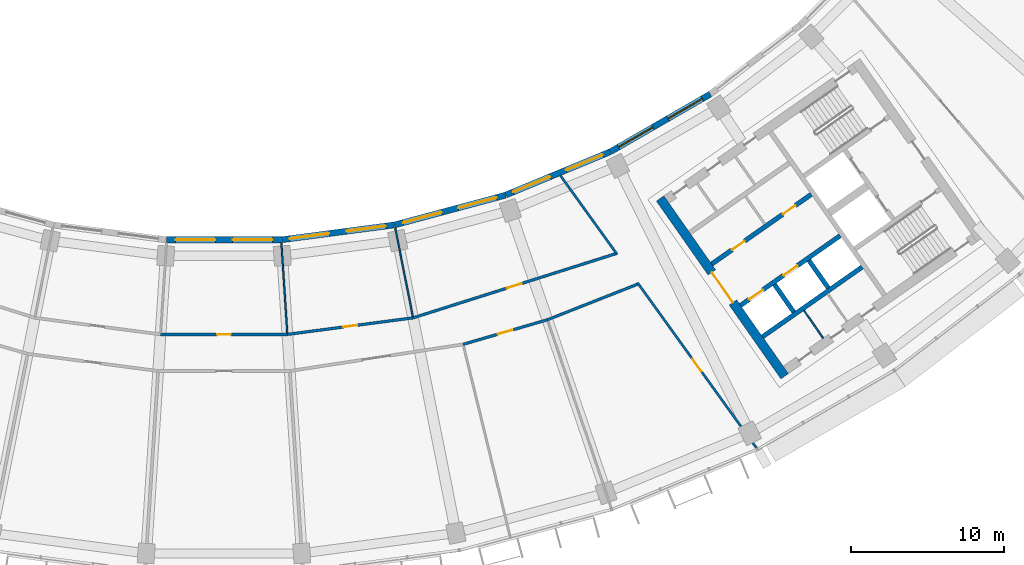
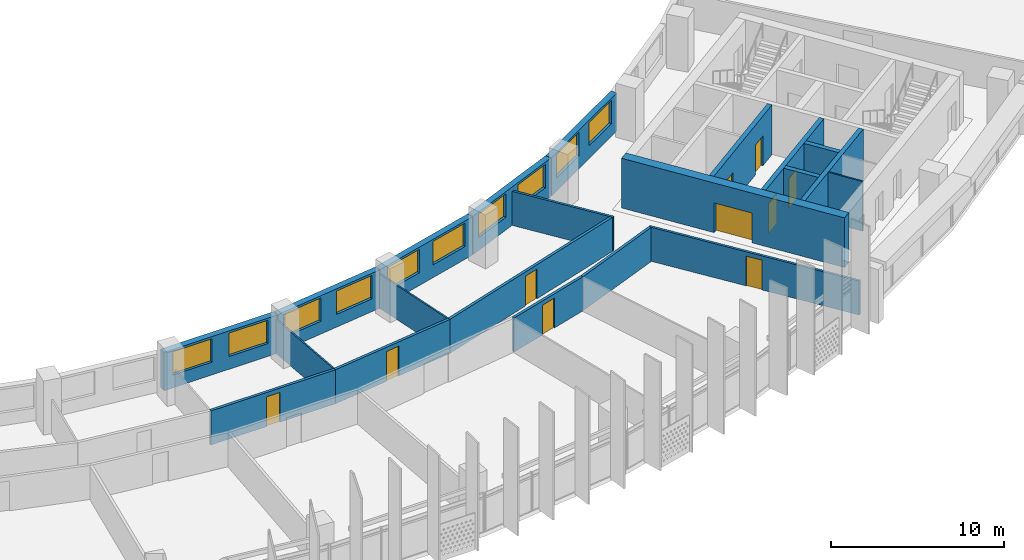
# One storey, part 6 of 27: 21 walls, 10 doors, 10 windows, 20 openings.
"""IFC4 building model written with IfcOpenShell, lengths in metres."""

from ifc_helpers import new_model, si_unit, direction, frame, frame_2d, origin, place, context, subcontext, project, spatial, rectangle, extrude, material, layer, layer_set, type_object, element, fill, save


model = new_model("IFC4")

# Units and contexts
model_context = context("Model", 3, precision=1e-05, world=origin(), true_north=direction((0.0, 1.0)))
body_context = subcontext(model_context, "Body", "Model", "MODEL_VIEW")
ifc_project = project(units=[si_unit("LENGTHUNIT", "METRE"), si_unit("AREAUNIT", "SQUARE_METRE"), si_unit("VOLUMEUNIT", "CUBIC_METRE"), si_unit("PLANEANGLEUNIT", "RADIAN"), si_unit("MASSUNIT", "GRAM", prefix="KILO")], contexts=[model_context])

# Site, building, storey
site_placement = place(None, origin())
site = spatial("IfcSite", under=ifc_project, at=site_placement, CompositionType="ELEMENT")
building_placement = place(site_placement, origin())
building = spatial("IfcBuilding", under=site, at=building_placement, Name="Qamariyya Broadcast Tower", CompositionType="ELEMENT")
storey_placement = place(building_placement, frame((0.0, 0.0, 164.5)))
storey = spatial("IfcBuildingStorey", under=building, at=storey_placement, Name="L38", CompositionType="ELEMENT", Elevation=164.5)

# Wall, opening, door
ifc_material_1 = material(Name="Concrete C60/75", Category="concrete")
ifc_layer_1 = layer(ifc_material_1, 0.60009765625)
ifc_layer_set_1 = layer_set([ifc_layer_1], Name="Core wall 600 mm Concrete C60/75")
wall_type_1 = type_object("IfcWallType", Name="Core wall 600 mm Concrete C60/75", PredefinedType="SHEAR", material=ifc_layer_set_1)
wall_1_placement = place(storey_placement, frame((36.66748046875, -66.005126953125, 0.0), z_axis=(0.0, 0.0, 1.0), x_axis=(-0.573568499524, 0.819157601658, 0.0)))
wall_1 = element("IfcWall", 1, at=wall_1_placement, inside=storey, type_object=wall_type_1, Name="k-E-L38-WA", PredefinedType="SHEAR", context=body_context, shape_type="SweptSolid", body=[
    extrude(rectangle(XDim=14.19970703125, YDim=0.60009765625, at=frame_2d((7.099853515625, 0.0))), origin(), (0.0, 0.0, 1.0), 3.5),
])
opening_1_placement = place(wall_1_placement, frame((5.89990234375, 0.0, 0.0)))
opening_1 = element("IfcOpeningElement", 2, at=opening_1_placement, cuts=wall_1, Name="Opening KD3-E1", PredefinedType="OPENING", context=body_context, shape_type="SweptSolid", body=[
    extrude(rectangle(XDim=2.39990234375, YDim=2.10009765625, at=frame_2d((1.199951171875, 1.050048828125))), frame((0.0, 0.31005859375, 0.0), z_axis=(0.0, -1.0, 0.0), x_axis=(1.0, 0.0, 0.0)), (0.0, 0.0, 1.0), 0.6201171875),
])
ifc_material_2 = material(Name="Steel fire-resisting door leaf", Category="steel")
door_type_1 = type_object("IfcDoorType", Name="Lift lobby door KD3", OperationType="DOUBLE_DOOR_SINGLE_SWING", PredefinedType="DOOR", material=ifc_material_2)
door_1_placement = place(opening_1_placement, origin())
door_1 = element("IfcDoor", 3, at=door_1_placement, inside=storey, type_object=door_type_1, Name="k-E-L38-WA-D1", OperationType="DOUBLE_DOOR_SINGLE_SWING", OverallHeight=2.10009765625, OverallWidth=2.39990234375, PredefinedType="DOOR", context=body_context, shape_type="SweptSolid", body=[
    extrude(rectangle(XDim=2.39990234375, YDim=2.10009765625, at=frame_2d((1.199951171875, 1.050048828125))), frame((0.0, 0.02490234375, 0.0), z_axis=(0.0, -1.0, 0.0), x_axis=(1.0, 0.0, 0.0)), (0.0, 0.0, 1.0), 0.050048828125),
])
fill(opening_1, door_1)

# Wall
ifc_material_3 = material(Name="Gypsum board partition")
ifc_layer_2 = layer(ifc_material_3, 0.14990234375)
ifc_layer_set_2 = layer_set([ifc_layer_2], Name="Corridor partition 150 EI 60")
wall_type_2 = type_object("IfcWallType", Name="Corridor partition 150 EI 60", PredefinedType="PARTITIONING", material=ifc_layer_set_2)
wall_2_placement = place(storey_placement, frame((22.0, -52.873046875, 0.0), z_axis=(0.0, 0.0, 1.0), x_axis=(0.584145217468, -0.811649163684, 0.0)))
element("IfcWall", 4, at=wall_2_placement, inside=storey, type_object=wall_type_2, Name="Partition L38-025", PredefinedType="PARTITIONING", context=body_context, shape_type="SweptSolid", body=[
    extrude(rectangle(XDim=6.37109375, YDim=0.14990234375, at=frame_2d((3.185546875, 0.0))), origin(), (0.0, 0.0, 1.0), 2.39990234375),
])

# Wall, opening, door
wall_3_placement = place(storey_placement, frame((34.823974609375, -70.690673828125, 0.0), z_axis=(0.0, 0.0, 1.0), x_axis=(-0.584166530414, 0.811633824298, 0.0)))
wall_3 = element("IfcWall", 5, at=wall_3_placement, inside=storey, type_object=wall_type_2, Name="Partition L38-027", PredefinedType="PARTITIONING", context=body_context, shape_type="SweptSolid", body=[
    extrude(rectangle(XDim=13.31103515625, YDim=0.14990234375, at=frame_2d((6.655517578125, 0.0))), origin(), (0.0, 0.0, 1.0), 2.39990234375),
])
opening_2_placement = place(wall_3_placement, frame((6.155517578125, 0.0, 0.0)))
opening_2 = element("IfcOpeningElement", 6, at=opening_2_placement, cuts=wall_3, Name="Opening L38-D07", PredefinedType="OPENING", context=body_context, shape_type="SweptSolid", body=[
    extrude(rectangle(XDim=1.0, YDim=2.10009765625, at=frame_2d((0.5, 1.050048828125))), frame((0.0, 0.0849609375, 0.0), z_axis=(0.0, -1.0, 0.0), x_axis=(1.0, 0.0, 0.0)), (0.0, 0.0, 1.0), 0.169921875),
])
ifc_material_4 = material(Name="Timber fire door leaf", Category="wood")
door_type_2 = type_object("IfcDoorType", Name="Fire door 1000 x 2100 FD60", OperationType="NOTDEFINED", PredefinedType="DOOR", material=ifc_material_4)
door_2_placement = place(opening_2_placement, origin())
door_2 = element("IfcDoor", 7, at=door_2_placement, inside=storey, type_object=door_type_2, Name="Door L38-D07", OperationType="SINGLE_SWING_RIGHT", OverallHeight=2.10009765625, OverallWidth=1.0, PredefinedType="DOOR", context=body_context, shape_type="SweptSolid", body=[
    extrude(rectangle(XDim=1.0, YDim=2.10009765625, at=frame_2d((0.5, 1.050048828125))), frame((0.0, 0.02490234375, 0.0), z_axis=(0.0, -1.0, 0.0), x_axis=(1.0, 0.0, 0.0)), (0.0, 0.0, 1.0), 0.050048828125),
])
fill(opening_2, door_2)

# Wall, openings, doors
ifc_layer_3 = layer(ifc_material_1, 0.300048828125)
ifc_layer_set_3 = layer_set([ifc_layer_3], Name="Lift shaft wall 300 mm Concrete C60/75")
wall_type_3 = type_object("IfcWallType", Name="Lift shaft wall 300 mm Concrete C60/75", PredefinedType="SOLIDWALL", material=ifc_layer_set_3)
wall_4_placement = place(storey_placement, frame((31.89453125, -58.66552734375, 0.0), z_axis=(0.0, 0.0, 1.0), x_axis=(0.819166993208, 0.573555086491, 0.0)))
wall_4 = element("IfcWall", 8, at=wall_4_placement, inside=storey, type_object=wall_type_3, Name="k-E-L38-NF0", PredefinedType="SOLIDWALL", context=body_context, shape_type="SweptSolid", body=[
    extrude(rectangle(XDim=7.9501953125, YDim=0.300048828125, at=frame_2d((3.97509765625, 0.0))), origin(), (0.0, 0.0, 1.0), 3.5),
])
opening_3_placement = place(wall_4_placement, frame((1.637451171875, 0.0, 0.0)))
opening_3 = element("IfcOpeningElement", 9, at=opening_3_placement, cuts=wall_4, Name="Opening KD6-E1", PredefinedType="OPENING", context=body_context, shape_type="SweptSolid", body=[
    extrude(rectangle(XDim=1.0, YDim=2.10009765625, at=frame_2d((0.5, 1.050048828125))), frame((0.0, 0.159912109375, 0.0), z_axis=(0.0, -1.0, 0.0), x_axis=(1.0, 0.0, 0.0)), (0.0, 0.0, 1.0), 0.320068359375),
])
opening_4_placement = place(wall_4_placement, frame((5.6875, 0.0, 0.0)))
opening_4 = element("IfcOpeningElement", 10, at=opening_4_placement, cuts=wall_4, Name="Opening KD6-E2", PredefinedType="OPENING", context=body_context, shape_type="SweptSolid", body=[
    extrude(rectangle(XDim=1.0, YDim=2.10009765625, at=frame_2d((0.5, 1.050048828125))), frame((0.0, 0.159912109375, 0.0), z_axis=(0.0, -1.0, 0.0), x_axis=(1.0, 0.0, 0.0)), (0.0, 0.0, 1.0), 0.320068359375),
])
door_type_3 = type_object("IfcDoorType", Name="Core room door KD6", OperationType="SINGLE_SWING_LEFT", PredefinedType="DOOR", material=ifc_material_2)
door_3_placement = place(opening_3_placement, origin())
door_3 = element("IfcDoor", 11, at=door_3_placement, inside=storey, type_object=door_type_3, Name="k-E-L38-NF0-D2", OperationType="SINGLE_SWING_RIGHT", OverallHeight=2.10009765625, OverallWidth=1.0, PredefinedType="DOOR", context=body_context, shape_type="SweptSolid", body=[
    extrude(rectangle(XDim=1.0, YDim=2.10009765625, at=frame_2d((0.5, 1.050048828125))), frame((0.0, 0.02490234375, 0.0), z_axis=(0.0, -1.0, 0.0), x_axis=(1.0, 0.0, 0.0)), (0.0, 0.0, 1.0), 0.050048828125),
])
fill(opening_3, door_3)
door_4_placement = place(opening_4_placement, origin())
door_4 = element("IfcDoor", 12, at=door_4_placement, inside=storey, type_object=door_type_3, Name="k-E-L38-NF0-D3", OperationType="SINGLE_SWING_LEFT", OverallHeight=2.10009765625, OverallWidth=1.0, PredefinedType="DOOR", context=body_context, shape_type="SweptSolid", body=[
    extrude(rectangle(XDim=1.0, YDim=2.10009765625, at=frame_2d((0.5, 1.050048828125))), frame((0.0, 0.02490234375, 0.0), z_axis=(0.0, -1.0, 0.0), x_axis=(1.0, 0.0, 0.0)), (0.0, 0.0, 1.0), 0.050048828125),
])
fill(opening_4, door_4)

wall_5_placement = place(storey_placement, frame((33.787353515625, -61.368896484375, 0.0), z_axis=(0.0, 0.0, 1.0), x_axis=(0.819152564888, 0.573575692858, 0.0)))
wall_5 = element("IfcWall", 13, at=wall_5_placement, inside=storey, type_object=wall_type_3, Name="k-E-L38-SF0", PredefinedType="SOLIDWALL", context=body_context, shape_type="SweptSolid", body=[
    extrude(rectangle(XDim=7.9501953125, YDim=0.300048828125, at=frame_2d((3.97509765625, 0.0))), origin(), (0.0, 0.0, 1.0), 3.5),
])
opening_5_placement = place(wall_5_placement, frame((0.675048828125, 0.0, 0.0)))
opening_5 = element("IfcOpeningElement", 14, at=opening_5_placement, cuts=wall_5, Name="Opening LD", PredefinedType="OPENING", context=body_context, shape_type="SweptSolid", body=[
    extrude(rectangle(XDim=1.10009765625, YDim=2.10009765625, at=frame_2d((0.550048828125, 1.050048828125))), frame((0.0, 0.159912109375, 0.0), z_axis=(0.0, -1.0, 0.0), x_axis=(1.0, 0.0, 0.0)), (0.0, 0.0, 1.0), 0.320068359375),
])
opening_6_placement = place(wall_5_placement, frame((3.425048828125, 0.0, 0.0)))
opening_6 = element("IfcOpeningElement", 15, at=opening_6_placement, cuts=wall_5, Name="Opening LD", PredefinedType="OPENING", context=body_context, shape_type="SweptSolid", body=[
    extrude(rectangle(XDim=1.10009765625, YDim=2.10009765625, at=frame_2d((0.550048828125, 1.050048828125))), frame((0.0, 0.159912109375, 0.0), z_axis=(0.0, -1.0, 0.0), x_axis=(1.0, 0.0, 0.0)), (0.0, 0.0, 1.0), 0.320068359375),
])
door_type_4 = type_object("IfcDoorType", Name="Lift landing door LD", OperationType="DOUBLE_DOOR_SLIDING", PredefinedType="DOOR", material=ifc_material_2)
door_5_placement = place(opening_5_placement, origin())
door_5 = element("IfcDoor", 16, at=door_5_placement, inside=storey, type_object=door_type_4, Name="k-E-L38-SF0-D4", OperationType="DOUBLE_DOOR_SLIDING", OverallHeight=2.10009765625, OverallWidth=1.10009765625, PredefinedType="DOOR", context=body_context, shape_type="SweptSolid", body=[
    extrude(rectangle(XDim=1.10009765625, YDim=2.10009765625, at=frame_2d((0.550048828125, 1.050048828125))), frame((0.0, 0.02490234375, 0.0), z_axis=(0.0, -1.0, 0.0), x_axis=(1.0, 0.0, 0.0)), (0.0, 0.0, 1.0), 0.050048828125),
])
fill(opening_5, door_5)
door_6_placement = place(opening_6_placement, origin())
door_6 = element("IfcDoor", 17, at=door_6_placement, inside=storey, type_object=door_type_4, Name="k-E-L38-SF0-D5", OperationType="DOUBLE_DOOR_SLIDING", OverallHeight=2.10009765625, OverallWidth=1.10009765625, PredefinedType="DOOR", context=body_context, shape_type="SweptSolid", body=[
    extrude(rectangle(XDim=1.10009765625, YDim=2.10009765625, at=frame_2d((0.550048828125, 1.050048828125))), frame((0.0, 0.02490234375, 0.0), z_axis=(0.0, -1.0, 0.0), x_axis=(1.0, 0.0, 0.0)), (0.0, 0.0, 1.0), 0.050048828125),
])
fill(opening_6, door_6)

# Walls
wall_6_placement = place(storey_placement, frame((35.22119140625, -63.41650390625, 0.0), z_axis=(0.0, 0.0, 1.0), x_axis=(0.819166993208, 0.573555086491, 0.0)))
element("IfcWall", 18, at=wall_6_placement, inside=storey, type_object=wall_type_3, Name="k-E-L38-SB0", PredefinedType="SOLIDWALL", context=body_context, shape_type="SweptSolid", body=[
    extrude(rectangle(XDim=7.9501953125, YDim=0.300048828125, at=frame_2d((3.97509765625, 0.0))), origin(), (0.0, 0.0, 1.0), 3.5),
])
wall_7_placement = place(storey_placement, frame((36.003173828125, -60.000244140625, 0.0), z_axis=(0.0, 0.0, 1.0), x_axis=(0.573581496053, -0.819148501424, 0.0)))
element("IfcWall", 19, at=wall_7_placement, inside=storey, type_object=wall_type_3, Name="k-E-L38-SD0", PredefinedType="SOLIDWALL", context=body_context, shape_type="SweptSolid", body=[
    extrude(rectangle(XDim=2.2001953125, YDim=0.300048828125, at=frame_2d((1.10009765625, 0.0))), origin(), (0.0, 0.0, 1.0), 3.5),
])
wall_8_placement = place(storey_placement, frame((38.255859375, -58.423095703125, 0.0), z_axis=(0.0, 0.0, 1.0), x_axis=(0.573633636671, -0.819111989218, 0.0)))
element("IfcWall", 20, at=wall_8_placement, inside=storey, type_object=wall_type_3, Name="k-E-L38-SD1", PredefinedType="SOLIDWALL", context=body_context, shape_type="SweptSolid", body=[
    extrude(rectangle(XDim=2.199951171875, YDim=0.300048828125, at=frame_2d((1.10009765625, 0.0))), origin(), (0.0, 0.0, 1.0), 3.5),
])
ifc_layer_4 = layer(ifc_material_3, 0.10009765625)
ifc_layer_set_4 = layer_set([ifc_layer_4], Name="Partition 100")
wall_type_4 = type_object("IfcWallType", Name="Partition 100", PredefinedType="PARTITIONING", material=ifc_layer_set_4)
wall_9_placement = place(storey_placement, frame((3.754150390625, -57.277099609375, 0.0), z_axis=(0.0, 0.0, 1.0), x_axis=(0.065392110393, -0.99785964539, 0.0)))
element("IfcWall", 21, at=wall_9_placement, inside=storey, type_object=wall_type_4, Name="Partition L38-016", PredefinedType="PARTITIONING", context=body_context, shape_type="SweptSolid", body=[
    extrude(rectangle(XDim=5.91015625, YDim=0.10009765625, at=frame_2d((2.955078125, 0.0))), origin(), (0.0, 0.0, 1.0), 2.39990234375),
])
wall_10_placement = place(storey_placement, frame((11.1982421875, -56.297119140625, 0.0), z_axis=(0.0, 0.0, 1.0), x_axis=(0.195067376167, -0.980789844337, 0.0)))
element("IfcWall", 22, at=wall_10_placement, inside=storey, type_object=wall_type_4, Name="Partition L38-020", PredefinedType="PARTITIONING", context=body_context, shape_type="SweptSolid", body=[
    extrude(rectangle(XDim=5.909912109375, YDim=0.10009765625, at=frame_2d((2.955078125, 0.0))), origin(), (0.0, 0.0, 1.0), 2.39990234375),
])
ifc_material_5 = material(Name="Fire-rated gypsum shaft liner on steel studs", Category="steel")
ifc_layer_5 = layer(ifc_material_5, 0.10009765625)
ifc_layer_set_5 = layer_set([ifc_layer_5], Name="Riser wall 100 mm")
wall_type_5 = type_object("IfcWallType", Name="Riser wall 100 mm", PredefinedType="PLUMBINGWALL", material=ifc_layer_set_5)
wall_11_placement = place(storey_placement, frame((37.9287109375, -61.7041015625, 0.0), z_axis=(0.0, 0.0, 1.0), x_axis=(0.573559170999, -0.819164133348, 0.0)))
element("IfcWall", 23, at=wall_11_placement, inside=storey, type_object=wall_type_5, Name="k-E-L38-SP320", PredefinedType="PLUMBINGWALL", context=body_context, shape_type="SweptSolid", body=[
    extrude(rectangle(XDim=2.19970703125, YDim=0.10009765625, at=frame_2d((1.099853515625, 0.0))), origin(), (0.0, 0.0, 1.0), 3.5),
])

# Wall, opening, door
ifc_layer_6 = layer(ifc_material_3, 0.179931640625)
ifc_layer_set_6 = layer_set([ifc_layer_6], Name="Studio acoustic partition 180 EI 60")
wall_type_6 = type_object("IfcWallType", Name="Studio acoustic partition 180 EI 60", PredefinedType="PARTITIONING", material=ifc_layer_set_6)
wall_12_placement = place(storey_placement, frame((-4.146484375, -63.26416015625, 0.0), z_axis=(0.0, 0.0, 1.0), x_axis=(1.0, 0.0, 0.0)))
wall_12 = element("IfcWall", 24, at=wall_12_placement, inside=storey, type_object=wall_type_6, Name="Partition L38-014", PredefinedType="PARTITIONING", context=body_context, shape_type="SweptSolid", body=[
    extrude(rectangle(XDim=8.29296875, YDim=0.179931640625, at=frame_2d((4.146484375, 0.0))), origin(), (0.0, 0.0, 1.0), 2.39990234375),
])
opening_7_placement = place(wall_12_placement, frame((3.696533203125, 0.0, 0.0)))
opening_7 = element("IfcOpeningElement", 25, at=opening_7_placement, cuts=wall_12, Name="Opening L38-D10", PredefinedType="OPENING", context=body_context, shape_type="SweptSolid", body=[
    extrude(rectangle(XDim=0.89990234375, YDim=2.10009765625, at=frame_2d((0.449951171875, 1.050048828125))), frame((0.0, 0.099853515625, 0.0), z_axis=(0.0, -1.0, 0.0), x_axis=(1.0, 0.0, 0.0)), (0.0, 0.0, 1.0), 0.199951171875),
])
door_type_5 = type_object("IfcDoorType", Name="Fire door 900 x 2100 FD60", OperationType="NOTDEFINED", PredefinedType="DOOR", material=ifc_material_4)
door_7_placement = place(opening_7_placement, origin())
door_7 = element("IfcDoor", 26, at=door_7_placement, inside=storey, type_object=door_type_5, Name="Door L38-D10", OperationType="SINGLE_SWING_RIGHT", OverallHeight=2.10009765625, OverallWidth=0.89990234375, PredefinedType="DOOR", context=body_context, shape_type="SweptSolid", body=[
    extrude(rectangle(XDim=0.89990234375, YDim=2.10009765625, at=frame_2d((0.449951171875, 1.050048828125))), frame((0.0, 0.02490234375, 0.0), z_axis=(0.0, -1.0, 0.0), x_axis=(1.0, 0.0, 0.0)), (0.0, 0.0, 1.0), 0.050048828125),
])
fill(opening_7, door_7)

wall_13_placement = place(storey_placement, frame((4.146484375, -63.26416015625, 0.0), z_axis=(0.0, 0.0, 1.0), x_axis=(0.991447881484, 0.130503250152, 0.0)))
wall_13 = element("IfcWall", 27, at=wall_13_placement, inside=storey, type_object=wall_type_6, Name="Partition L38-017", PredefinedType="PARTITIONING", context=body_context, shape_type="SweptSolid", body=[
    extrude(rectangle(XDim=8.293212890625, YDim=0.179931640625, at=frame_2d((4.146484375, 0.0))), origin(), (0.0, 0.0, 1.0), 2.39990234375),
])
opening_8_placement = place(wall_13_placement, frame((3.696533203125, 0.0, 0.0)))
opening_8 = element("IfcOpeningElement", 28, at=opening_8_placement, cuts=wall_13, Name="Opening L38-D11", PredefinedType="OPENING", context=body_context, shape_type="SweptSolid", body=[
    extrude(rectangle(XDim=0.89990234375, YDim=2.10009765625, at=frame_2d((0.449951171875, 1.050048828125))), frame((0.0, 0.099853515625, 0.0), z_axis=(0.0, -1.0, 0.0), x_axis=(1.0, 0.0, 0.0)), (0.0, 0.0, 1.0), 0.199951171875),
])
door_8_placement = place(opening_8_placement, origin())
door_8 = element("IfcDoor", 29, at=door_8_placement, inside=storey, type_object=door_type_5, Name="Door L38-D11", OperationType="SINGLE_SWING_RIGHT", OverallHeight=2.10009765625, OverallWidth=0.89990234375, PredefinedType="DOOR", context=body_context, shape_type="SweptSolid", body=[
    extrude(rectangle(XDim=0.89990234375, YDim=2.10009765625, at=frame_2d((0.449951171875, 1.050048828125))), frame((0.0, 0.02490234375, 0.0), z_axis=(0.0, -1.0, 0.0), x_axis=(1.0, 0.0, 0.0)), (0.0, 0.0, 1.0), 0.050048828125),
])
fill(opening_8, door_8)

wall_14_placement = place(storey_placement, frame((12.36865234375, -62.181884765625, 0.0), z_axis=(0.0, 0.0, 1.0), x_axis=(0.953361971867, 0.301829340187, 0.0)))
wall_14 = element("IfcWall", 30, at=wall_14_placement, inside=storey, type_object=wall_type_6, Name="Partition L38-021", PredefinedType="PARTITIONING", context=body_context, shape_type="SweptSolid", body=[
    extrude(rectangle(XDim=13.876220703125, YDim=0.179931640625, at=frame_2d((6.93798828125, 0.0))), origin(), (0.0, 0.0, 1.0), 2.39990234375),
])
opening_9_placement = place(wall_14_placement, frame((6.43798828125, 0.0, 0.0)))
opening_9 = element("IfcOpeningElement", 31, at=opening_9_placement, cuts=wall_14, Name="Opening L38-D12", PredefinedType="OPENING", context=body_context, shape_type="SweptSolid", body=[
    extrude(rectangle(XDim=1.0, YDim=2.10009765625, at=frame_2d((0.5, 1.050048828125))), frame((0.0, 0.099853515625, 0.0), z_axis=(0.0, -1.0, 0.0), x_axis=(1.0, 0.0, 0.0)), (0.0, 0.0, 1.0), 0.199951171875),
])
door_9_placement = place(opening_9_placement, origin())
door_9 = element("IfcDoor", 32, at=door_9_placement, inside=storey, type_object=door_type_2, Name="Door L38-D12", OperationType="SINGLE_SWING_RIGHT", OverallHeight=2.10009765625, OverallWidth=1.0, PredefinedType="DOOR", context=body_context, shape_type="SweptSolid", body=[
    extrude(rectangle(XDim=1.0, YDim=2.10009765625, at=frame_2d((0.5, 1.050048828125))), frame((0.0, 0.02490234375, 0.0), z_axis=(0.0, -1.0, 0.0), x_axis=(1.0, 0.0, 0.0)), (0.0, 0.0, 1.0), 0.050048828125),
])
fill(opening_9, door_9)

wall_15_placement = place(storey_placement, frame((21.150634765625, -62.30810546875, 0.0), z_axis=(0.0, 0.0, 1.0), x_axis=(-0.960055220634, -0.279810602612, 0.0)))
wall_15 = element("IfcWall", 33, at=wall_15_placement, inside=storey, type_object=wall_type_6, Name="Partition L38-022", PredefinedType="PARTITIONING", context=body_context, shape_type="SweptSolid", body=[
    extrude(rectangle(XDim=5.741943359375, YDim=0.179931640625, at=frame_2d((2.87109375, 0.0))), origin(), (0.0, 0.0, 1.0), 2.39990234375),
])
opening_10_placement = place(wall_15_placement, frame((2.37109375, 0.0, 0.0)))
opening_10 = element("IfcOpeningElement", 34, at=opening_10_placement, cuts=wall_15, Name="Opening L38-D06", PredefinedType="OPENING", context=body_context, shape_type="SweptSolid", body=[
    extrude(rectangle(XDim=1.0, YDim=2.10009765625, at=frame_2d((0.5, 1.050048828125))), frame((0.0, 0.099853515625, 0.0), z_axis=(0.0, -1.0, 0.0), x_axis=(1.0, 0.0, 0.0)), (0.0, 0.0, 1.0), 0.199951171875),
])
door_10_placement = place(opening_10_placement, origin())
door_10 = element("IfcDoor", 35, at=door_10_placement, inside=storey, type_object=door_type_2, Name="Door L38-D06", OperationType="SINGLE_SWING_RIGHT", OverallHeight=2.10009765625, OverallWidth=1.0, PredefinedType="DOOR", context=body_context, shape_type="SweptSolid", body=[
    extrude(rectangle(XDim=1.0, YDim=2.10009765625, at=frame_2d((0.5, 1.050048828125))), frame((0.0, 0.02490234375, 0.0), z_axis=(0.0, -1.0, 0.0), x_axis=(1.0, 0.0, 0.0)), (0.0, 0.0, 1.0), 0.050048828125),
])
fill(opening_10, door_10)

# Wall
wall_16_placement = place(storey_placement, frame((21.150634765625, -62.30810546875, 0.0), z_axis=(0.0, 0.0, 1.0), x_axis=(0.930189926157, 0.367078603675, 0.0)))
element("IfcWall", 36, at=wall_16_placement, inside=storey, type_object=wall_type_6, Name="Partition L38-024", PredefinedType="PARTITIONING", context=body_context, shape_type="SweptSolid", body=[
    extrude(rectangle(XDim=6.32177734375, YDim=0.179931640625, at=frame_2d((3.160888671875, 0.0))), origin(), (0.0, 0.0, 1.0), 2.39990234375),
])

# Wall, openings, windows
ifc_material_6 = material(Name="Terracotta", Category="masonry")
ifc_layer_7 = layer(ifc_material_6, 0.39990234375)
ifc_layer_set_7 = layer_set([ifc_layer_7], Name="Terracotta clad wall 400")
wall_type_7 = type_object("IfcWallType", Name="Terracotta clad wall 400", PredefinedType="SOLIDWALL", material=ifc_layer_set_7)
wall_17_placement = place(storey_placement, frame((25.252197265625, -51.32080078125, 0.0), z_axis=(0.0, 0.0, 1.0), x_axis=(-0.923867659443, -0.382712095229, 0.0)))
wall_17 = element("IfcWall", 37, at=wall_17_placement, inside=storey, type_object=wall_type_7, Name="e-wl-L38-in100", PredefinedType="SOLIDWALL", context=body_context, shape_type="SweptSolid", body=[
    extrude(rectangle(XDim=7.380859375, YDim=0.39990234375, at=frame_2d((3.6904296875, 0.0))), origin(), (0.0, 0.0, 1.0), 2.699951171875),
])
opening_11_placement = place(wall_17_placement, frame((4.25439453125, 0.0, 0.89990234375)))
opening_11 = element("IfcOpeningElement", 38, at=opening_11_placement, cuts=wall_17, Name="Opening W1", PredefinedType="OPENING", context=body_context, shape_type="SweptSolid", body=[
    extrude(rectangle(XDim=2.60009765625, YDim=1.64990234375, at=frame_2d((1.300048828125, 0.824951171875))), frame((0.0, 0.2099609375, 0.0), z_axis=(0.0, -1.0, 0.0), x_axis=(1.0, 0.0, 0.0)), (0.0, 0.0, 1.0), 0.419921875),
])
opening_12_placement = place(wall_17_placement, frame((0.5263671875, 0.0, 0.89990234375)))
opening_12 = element("IfcOpeningElement", 39, at=opening_12_placement, cuts=wall_17, Name="Opening W1", PredefinedType="OPENING", context=body_context, shape_type="SweptSolid", body=[
    extrude(rectangle(XDim=2.60009765625, YDim=1.64990234375, at=frame_2d((1.300048828125, 0.824951171875))), frame((0.0, 0.2099609375, 0.0), z_axis=(0.0, -1.0, 0.0), x_axis=(1.0, 0.0, 0.0)), (0.0, 0.0, 1.0), 0.419921875),
])
ifc_material_7 = material(Name="Clear low-e double glazed unit in aluminium frame", Category="aluminium")
window_type = type_object("IfcWindowType", Name="Ribbon window 2600 x 1650", PartitioningType="SINGLE_PANEL", PredefinedType="WINDOW", material=ifc_material_7)
window_1_placement = place(opening_11_placement, origin())
window_1 = element("IfcWindow", 40, at=window_1_placement, inside=storey, type_object=window_type, Name="e-w-L38-in10-0", OverallHeight=1.64990234375, OverallWidth=2.60009765625, PartitioningType="SINGLE_PANEL", PredefinedType="WINDOW", context=body_context, shape_type="SweptSolid", body=[
    extrude(rectangle(XDim=2.60009765625, YDim=1.64990234375, at=frame_2d((1.300048828125, 0.824951171875))), frame((0.0, 0.030029296875, 0.0), z_axis=(0.0, -1.0, 0.0), x_axis=(1.0, 0.0, 0.0)), (0.0, 0.0, 1.0), 0.06005859375),
])
fill(opening_11, window_1)
window_2_placement = place(opening_12_placement, origin())
window_2 = element("IfcWindow", 41, at=window_2_placement, inside=storey, type_object=window_type, Name="e-w-L38-in10-1", OverallHeight=1.64990234375, OverallWidth=2.60009765625, PartitioningType="SINGLE_PANEL", PredefinedType="WINDOW", context=body_context, shape_type="SweptSolid", body=[
    extrude(rectangle(XDim=2.60009765625, YDim=1.64990234375, at=frame_2d((1.300048828125, 0.824951171875))), frame((0.0, 0.030029296875, 0.0), z_axis=(0.0, -1.0, 0.0), x_axis=(1.0, 0.0, 0.0)), (0.0, 0.0, 1.0), 0.06005859375),
])
fill(opening_12, window_2)

wall_18_placement = place(storey_placement, frame((31.800537109375, -47.5478515625, 0.0), z_axis=(0.0, 0.0, 1.0), x_axis=(-0.866028517328, -0.499994607145, 0.0)))
wall_18 = element("IfcWall", 42, at=wall_18_placement, inside=storey, type_object=wall_type_7, Name="e-wl-L38-in110", PredefinedType="SOLIDWALL", context=body_context, shape_type="SweptSolid", body=[
    extrude(rectangle(XDim=7.5322265625, YDim=0.39990234375, at=frame_2d((3.76611328125, 0.0))), origin(), (0.0, 0.0, 1.0), 2.699951171875),
])
opening_13_placement = place(wall_18_placement, frame((4.330078125, 0.0, 0.89990234375)))
opening_13 = element("IfcOpeningElement", 43, at=opening_13_placement, cuts=wall_18, Name="Opening W1", PredefinedType="OPENING", context=body_context, shape_type="SweptSolid", body=[
    extrude(rectangle(XDim=2.60009765625, YDim=1.64990234375, at=frame_2d((1.300048828125, 0.824951171875))), frame((0.0, 0.2099609375, 0.0), z_axis=(0.0, -1.0, 0.0), x_axis=(1.0, 0.0, 0.0)), (0.0, 0.0, 1.0), 0.419921875),
])
opening_14_placement = place(wall_18_placement, frame((0.60205078125, 0.0, 0.89990234375)))
opening_14 = element("IfcOpeningElement", 44, at=opening_14_placement, cuts=wall_18, Name="Opening W1", PredefinedType="OPENING", context=body_context, shape_type="SweptSolid", body=[
    extrude(rectangle(XDim=2.60009765625, YDim=1.64990234375, at=frame_2d((1.300048828125, 0.824951171875))), frame((0.0, 0.2099609375, 0.0), z_axis=(0.0, -1.0, 0.0), x_axis=(1.0, 0.0, 0.0)), (0.0, 0.0, 1.0), 0.419921875),
])
window_3_placement = place(opening_13_placement, origin())
window_3 = element("IfcWindow", 45, at=window_3_placement, inside=storey, type_object=window_type, Name="e-w-L38-in11-0", OverallHeight=1.64990234375, OverallWidth=2.60009765625, PartitioningType="SINGLE_PANEL", PredefinedType="WINDOW", context=body_context, shape_type="SweptSolid", body=[
    extrude(rectangle(XDim=2.60009765625, YDim=1.64990234375, at=frame_2d((1.300048828125, 0.824951171875))), frame((0.0, 0.030029296875, 0.0), z_axis=(0.0, -1.0, 0.0), x_axis=(1.0, 0.0, 0.0)), (0.0, 0.0, 1.0), 0.06005859375),
])
fill(opening_13, window_3)
window_4_placement = place(opening_14_placement, origin())
window_4 = element("IfcWindow", 46, at=window_4_placement, inside=storey, type_object=window_type, Name="e-w-L38-in11-1", OverallHeight=1.64990234375, OverallWidth=2.60009765625, PartitioningType="SINGLE_PANEL", PredefinedType="WINDOW", context=body_context, shape_type="SweptSolid", body=[
    extrude(rectangle(XDim=2.60009765625, YDim=1.64990234375, at=frame_2d((1.300048828125, 0.824951171875))), frame((0.0, 0.030029296875, 0.0), z_axis=(0.0, -1.0, 0.0), x_axis=(1.0, 0.0, 0.0)), (0.0, 0.0, 1.0), 0.06005859375),
])
fill(opening_14, window_4)

wall_19_placement = place(storey_placement, frame((3.76611328125, -57.077880859375, 0.0), z_axis=(0.0, 0.0, 1.0), x_axis=(-1.0, 0.0, 0.0)))
wall_19 = element("IfcWall", 47, at=wall_19_placement, inside=storey, type_object=wall_type_7, Name="e-wl-L38-in70", PredefinedType="SOLIDWALL", context=body_context, shape_type="SweptSolid", body=[
    extrude(rectangle(XDim=7.5322265625, YDim=0.39990234375, at=frame_2d((3.76611328125, 0.0))), origin(), (0.0, 0.0, 1.0), 2.699951171875),
])
opening_15_placement = place(wall_19_placement, frame((4.330078125, 0.0, 0.89990234375)))
opening_15 = element("IfcOpeningElement", 48, at=opening_15_placement, cuts=wall_19, Name="Opening W1", PredefinedType="OPENING", context=body_context, shape_type="SweptSolid", body=[
    extrude(rectangle(XDim=2.60009765625, YDim=1.64990234375, at=frame_2d((1.300048828125, 0.824951171875))), frame((0.0, 0.2099609375, 0.0), z_axis=(0.0, -1.0, 0.0), x_axis=(1.0, 0.0, 0.0)), (0.0, 0.0, 1.0), 0.419921875),
])
opening_16_placement = place(wall_19_placement, frame((0.60205078125, 0.0, 0.89990234375)))
opening_16 = element("IfcOpeningElement", 49, at=opening_16_placement, cuts=wall_19, Name="Opening W1", PredefinedType="OPENING", context=body_context, shape_type="SweptSolid", body=[
    extrude(rectangle(XDim=2.60009765625, YDim=1.64990234375, at=frame_2d((1.300048828125, 0.824951171875))), frame((0.0, 0.2099609375, 0.0), z_axis=(0.0, -1.0, 0.0), x_axis=(1.0, 0.0, 0.0)), (0.0, 0.0, 1.0), 0.419921875),
])
window_5_placement = place(opening_15_placement, origin())
window_5 = element("IfcWindow", 50, at=window_5_placement, inside=storey, type_object=window_type, Name="e-w-L38-in07-0", OverallHeight=1.64990234375, OverallWidth=2.60009765625, PartitioningType="SINGLE_PANEL", PredefinedType="WINDOW", context=body_context, shape_type="SweptSolid", body=[
    extrude(rectangle(XDim=2.60009765625, YDim=1.64990234375, at=frame_2d((1.300048828125, 0.824951171875))), frame((0.0, 0.030029296875, 0.0), z_axis=(0.0, -1.0, 0.0), x_axis=(1.0, 0.0, 0.0)), (0.0, 0.0, 1.0), 0.06005859375),
])
fill(opening_15, window_5)
window_6_placement = place(opening_16_placement, origin())
window_6 = element("IfcWindow", 51, at=window_6_placement, inside=storey, type_object=window_type, Name="e-w-L38-in07-1", OverallHeight=1.64990234375, OverallWidth=2.60009765625, PartitioningType="SINGLE_PANEL", PredefinedType="WINDOW", context=body_context, shape_type="SweptSolid", body=[
    extrude(rectangle(XDim=2.60009765625, YDim=1.64990234375, at=frame_2d((1.300048828125, 0.824951171875))), frame((0.0, 0.030029296875, 0.0), z_axis=(0.0, -1.0, 0.0), x_axis=(1.0, 0.0, 0.0)), (0.0, 0.0, 1.0), 0.06005859375),
])
fill(opening_16, window_6)

wall_20_placement = place(storey_placement, frame((11.10888671875, -56.10791015625, 0.0), z_axis=(0.0, 0.0, 1.0), x_axis=(-0.99144438474, -0.130529812564, 0.0)))
wall_20 = element("IfcWall", 52, at=wall_20_placement, inside=storey, type_object=wall_type_7, Name="e-wl-L38-in80", PredefinedType="SOLIDWALL", context=body_context, shape_type="SweptSolid", body=[
    extrude(rectangle(XDim=7.380615234375, YDim=0.39990234375, at=frame_2d((3.6904296875, 0.0))), origin(), (0.0, 0.0, 1.0), 2.699951171875),
])
opening_17_placement = place(wall_20_placement, frame((4.25439453125, 0.0, 0.89990234375)))
opening_17 = element("IfcOpeningElement", 53, at=opening_17_placement, cuts=wall_20, Name="Opening W1", PredefinedType="OPENING", context=body_context, shape_type="SweptSolid", body=[
    extrude(rectangle(XDim=2.60009765625, YDim=1.64990234375, at=frame_2d((1.300048828125, 0.824951171875))), frame((0.0, 0.2099609375, 0.0), z_axis=(0.0, -1.0, 0.0), x_axis=(1.0, 0.0, 0.0)), (0.0, 0.0, 1.0), 0.419921875),
])
opening_18_placement = place(wall_20_placement, frame((0.5263671875, 0.0, 0.89990234375)))
opening_18 = element("IfcOpeningElement", 54, at=opening_18_placement, cuts=wall_20, Name="Opening W1", PredefinedType="OPENING", context=body_context, shape_type="SweptSolid", body=[
    extrude(rectangle(XDim=2.60009765625, YDim=1.64990234375, at=frame_2d((1.300048828125, 0.824951171875))), frame((0.0, 0.2099609375, 0.0), z_axis=(0.0, -1.0, 0.0), x_axis=(1.0, 0.0, 0.0)), (0.0, 0.0, 1.0), 0.419921875),
])
window_7_placement = place(opening_17_placement, origin())
window_7 = element("IfcWindow", 55, at=window_7_placement, inside=storey, type_object=window_type, Name="e-w-L38-in08-0", OverallHeight=1.64990234375, OverallWidth=2.60009765625, PartitioningType="SINGLE_PANEL", PredefinedType="WINDOW", context=body_context, shape_type="SweptSolid", body=[
    extrude(rectangle(XDim=2.60009765625, YDim=1.64990234375, at=frame_2d((1.300048828125, 0.824951171875))), frame((0.0, 0.030029296875, 0.0), z_axis=(0.0, -1.0, 0.0), x_axis=(1.0, 0.0, 0.0)), (0.0, 0.0, 1.0), 0.06005859375),
])
fill(opening_17, window_7)
window_8_placement = place(opening_18_placement, origin())
window_8 = element("IfcWindow", 56, at=window_8_placement, inside=storey, type_object=window_type, Name="e-w-L38-in08-1", OverallHeight=1.64990234375, OverallWidth=2.60009765625, PartitioningType="SINGLE_PANEL", PredefinedType="WINDOW", context=body_context, shape_type="SweptSolid", body=[
    extrude(rectangle(XDim=2.60009765625, YDim=1.64990234375, at=frame_2d((1.300048828125, 0.824951171875))), frame((0.0, 0.030029296875, 0.0), z_axis=(0.0, -1.0, 0.0), x_axis=(1.0, 0.0, 0.0)), (0.0, 0.0, 1.0), 0.06005859375),
])
fill(opening_18, window_8)

wall_21_placement = place(storey_placement, frame((18.41064453125, -54.158447265625, 0.0), z_axis=(0.0, 0.0, 1.0), x_axis=(-0.965927073219, -0.258814391452, 0.0)))
wall_21 = element("IfcWall", 57, at=wall_21_placement, inside=storey, type_object=wall_type_7, Name="e-wl-L38-in90", PredefinedType="SOLIDWALL", context=body_context, shape_type="SweptSolid", body=[
    extrude(rectangle(XDim=7.5322265625, YDim=0.39990234375, at=frame_2d((3.76611328125, 0.0))), origin(), (0.0, 0.0, 1.0), 2.699951171875),
])
opening_19_placement = place(wall_21_placement, frame((4.330078125, 0.0, 0.89990234375)))
opening_19 = element("IfcOpeningElement", 58, at=opening_19_placement, cuts=wall_21, Name="Opening W1", PredefinedType="OPENING", context=body_context, shape_type="SweptSolid", body=[
    extrude(rectangle(XDim=2.60009765625, YDim=1.64990234375, at=frame_2d((1.300048828125, 0.824951171875))), frame((0.0, 0.2099609375, 0.0), z_axis=(0.0, -1.0, 0.0), x_axis=(1.0, 0.0, 0.0)), (0.0, 0.0, 1.0), 0.419921875),
])
opening_20_placement = place(wall_21_placement, frame((0.60205078125, 0.0, 0.89990234375)))
opening_20 = element("IfcOpeningElement", 59, at=opening_20_placement, cuts=wall_21, Name="Opening W1", PredefinedType="OPENING", context=body_context, shape_type="SweptSolid", body=[
    extrude(rectangle(XDim=2.60009765625, YDim=1.64990234375, at=frame_2d((1.300048828125, 0.824951171875))), frame((0.0, 0.2099609375, 0.0), z_axis=(0.0, -1.0, 0.0), x_axis=(1.0, 0.0, 0.0)), (0.0, 0.0, 1.0), 0.419921875),
])
window_9_placement = place(opening_19_placement, origin())
window_9 = element("IfcWindow", 60, at=window_9_placement, inside=storey, type_object=window_type, Name="e-w-L38-in09-0", OverallHeight=1.64990234375, OverallWidth=2.60009765625, PartitioningType="SINGLE_PANEL", PredefinedType="WINDOW", context=body_context, shape_type="SweptSolid", body=[
    extrude(rectangle(XDim=2.60009765625, YDim=1.64990234375, at=frame_2d((1.300048828125, 0.824951171875))), frame((0.0, 0.030029296875, 0.0), z_axis=(0.0, -1.0, 0.0), x_axis=(1.0, 0.0, 0.0)), (0.0, 0.0, 1.0), 0.06005859375),
])
fill(opening_19, window_9)
window_10_placement = place(opening_20_placement, origin())
window_10 = element("IfcWindow", 61, at=window_10_placement, inside=storey, type_object=window_type, Name="e-w-L38-in09-1", OverallHeight=1.64990234375, OverallWidth=2.60009765625, PartitioningType="SINGLE_PANEL", PredefinedType="WINDOW", context=body_context, shape_type="SweptSolid", body=[
    extrude(rectangle(XDim=2.60009765625, YDim=1.64990234375, at=frame_2d((1.300048828125, 0.824951171875))), frame((0.0, 0.030029296875, 0.0), z_axis=(0.0, -1.0, 0.0), x_axis=(1.0, 0.0, 0.0)), (0.0, 0.0, 1.0), 0.06005859375),
])
fill(opening_20, window_10)

save(model, "model.ifc")
